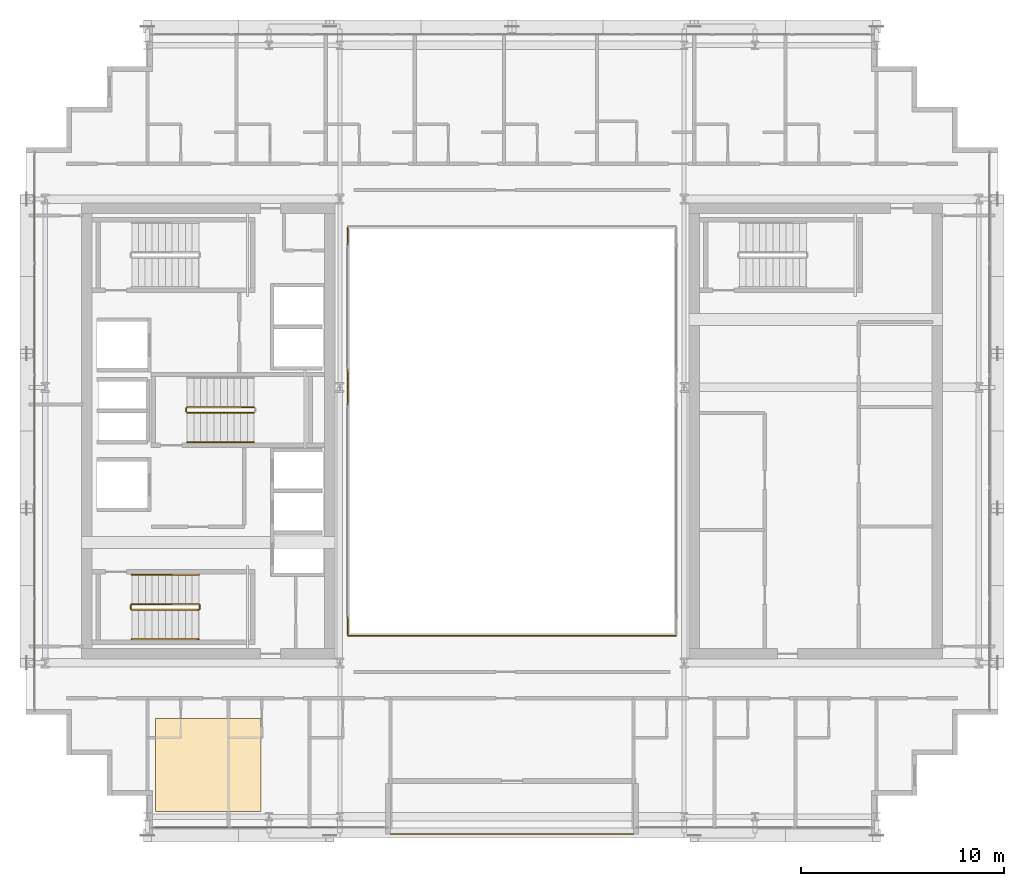
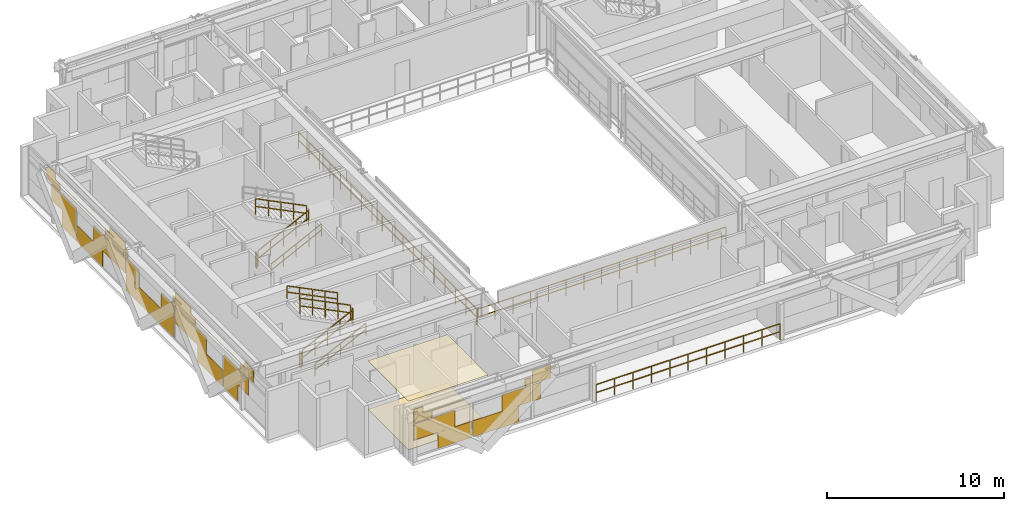
# One storey, part 35 of 38: 13 railings, 4 coverings.
"""IFC4 building model written with IfcOpenShell, lengths in metres."""

from ifc_helpers import new_model, si_unit, direction, frame, origin, origin_2d, place, context, subcontext, project, spatial, polyline, rectangle, outline, extrude, material, layer, layer_set, type_object, element, save


model = new_model("IFC4")

# Units and contexts
model_context = context("Model", 3, precision=1e-05, world=origin(), true_north=direction((0.0, 1.0)))
body_context = subcontext(model_context, "Body", "Model", "MODEL_VIEW")
ifc_project = project(units=[si_unit("LENGTHUNIT", "METRE"), si_unit("AREAUNIT", "SQUARE_METRE"), si_unit("VOLUMEUNIT", "CUBIC_METRE"), si_unit("PLANEANGLEUNIT", "RADIAN"), si_unit("MASSUNIT", "GRAM", prefix="KILO")], contexts=[model_context])

# Site, building, storey
site_placement = place(None, origin())
site = spatial("IfcSite", under=ifc_project, at=site_placement, CompositionType="ELEMENT")
building_placement = place(site_placement, origin())
building = spatial("IfcBuilding", under=site, at=building_placement, Name="Ocotamira Hotel", CompositionType="ELEMENT")
storey_placement = place(building_placement, frame((0.0, 0.0, 170.39990234375)))
storey = spatial("IfcBuildingStorey", under=building, at=storey_placement, Name="L42", CompositionType="ELEMENT", Elevation=170.39990234375)

# Coverings
ifc_material_1 = material(Name="Perforated acoustic gypsum ceiling board", Category="gypsum")
ifc_layer_1 = layer(ifc_material_1, 0.02490234375)
ifc_layer_set_1 = layer_set([ifc_layer_1], Name="Perforated acoustic gypsum ceiling board")
covering_type_1 = type_object("IfcCoveringType", Name="COV-CEIL-25", PredefinedType="CEILING", material=ifc_layer_set_1)
covering_1_placement = place(storey_placement, frame((0.0, 0.0, 3.34521484375)))
element("IfcCovering", 1, at=covering_1_placement, inside=storey, type_object=covering_type_1, Name="L42 Acoustic Ceiling", PredefinedType="CEILING", context=body_context, shape_type="SweptSolid", body=[
    extrude(outline(polyline([(14.39990234375, 7.199951171875), (19.60009765625, 7.199951171875), (19.60009765625, 11.800048828125), (14.39990234375, 11.800048828125), (14.39990234375, 7.199951171875)])), origin(), (0.0, 0.0, 1.0), 0.02490234375),
])
ifc_material_2 = material(Name="Honed desert travertine stone flooring", Category="masonry")
ifc_layer_2 = layer(ifc_material_2, 0.030029296875)
ifc_layer_set_2 = layer_set([ifc_layer_2], Name="Honed desert travertine stone flooring")
covering_type_2 = type_object("IfcCoveringType", Name="COV-FLOR-30", PredefinedType="FLOORING", material=ifc_layer_set_2)
covering_2_placement = place(storey_placement, origin())
element("IfcCovering", 2, at=covering_2_placement, inside=storey, type_object=covering_type_2, Name="L42 Honed Stone Floor Finish", PredefinedType="FLOORING", context=body_context, shape_type="SweptSolid", body=[
    extrude(outline(polyline([(14.39990234375, 7.199951171875), (19.60009765625, 7.199951171875), (19.60009765625, 11.800048828125), (14.39990234375, 11.800048828125), (14.39990234375, 7.199951171875)])), origin(), (0.0, 0.0, 1.0), 0.030029296875),
])
ifc_material_3 = material(Name="Insulated pale-metal aluminium spandrel panel", Category="aluminium")
ifc_layer_3 = layer(ifc_material_3, 0.044921875)
ifc_layer_set_3 = layer_set([ifc_layer_3], Name="Insulated pale-metal aluminium spandrel panel")
covering_type_3 = type_object("IfcCoveringType", Name="COV-INFILL-45", PredefinedType="CLADDING", material=ifc_layer_set_3)
covering_3_placement = place(storey_placement, origin())
element("IfcCovering", 3, at=covering_3_placement, inside=storey, type_object=covering_type_3, Name="L42 Curtain Wall Infill CW-4 CW-L42-S1", PredefinedType="CLADDING", context=body_context, shape_type="SweptSolid", body=[
    extrude(rectangle(XDim=2.68701171875, YDim=0.044921875, at=origin_2d()), frame((15.6240234375, 6.419921875, 1.1943359375), z_axis=(0.0, 0.0, 1.0), x_axis=(1.0, 0.0, 0.0)), (0.0, 0.0, 1.0), 1.117919921875),
    extrude(rectangle(XDim=2.19482421875, YDim=0.044921875, at=origin_2d()), frame((16.9453125, 6.419921875, 0.07568359375), z_axis=(0.0, 0.0, 1.0), x_axis=(1.0, 0.0, 0.0)), (0.0, 0.0, 1.0), 1.117919921875),
    extrude(rectangle(XDim=1.19482421875, YDim=0.044921875, at=origin_2d()), frame((14.8779296875, 6.419921875, 2.38818359375), z_axis=(0.0, 0.0, 1.0), x_axis=(1.0, 0.0, 0.0)), (0.0, 0.0, 1.0), 0.442626953125),
    extrude(rectangle(XDim=3.76220703125, YDim=0.044921875, at=origin_2d()), frame((16.16162109375, 6.419921875, 2.83154296875), z_axis=(0.0, 0.0, 1.0), x_axis=(1.0, 0.0, 0.0)), (0.0, 0.0, 1.0), 0.0302734375),
    extrude(rectangle(XDim=0.601318359375, YDim=0.044921875, at=origin_2d()), frame((14.581298828125, 6.419921875, 2.863037109375), z_axis=(0.0, 0.0, 1.0), x_axis=(1.0, 0.0, 0.0)), (0.0, 0.0, 1.0), 0.431640625),
    extrude(rectangle(XDim=3.028076171875, YDim=0.044921875, at=origin_2d()), frame((19.637939453125, 6.419921875, 0.07568359375), z_axis=(0.0, 0.0, 1.0), x_axis=(1.0, 0.0, 0.0)), (0.0, 0.0, 1.0), 1.117919921875),
    extrude(rectangle(XDim=1.893798828125, YDim=0.044921875, at=origin_2d()), frame((20.979248046875, 6.419921875, 1.1943359375), z_axis=(0.0, 0.0, 1.0), x_axis=(1.0, 0.0, 0.0)), (0.0, 0.0, 1.0), 1.117919921875),
    extrude(rectangle(XDim=0.401611328125, YDim=0.044921875, at=origin_2d()), frame((21.725341796875, 6.419921875, 2.38818359375), z_axis=(0.0, 0.0, 1.0), x_axis=(1.0, 0.0, 0.0)), (0.0, 0.0, 1.0), 0.473876953125),
    extrude(rectangle(XDim=0.543212890625, YDim=0.044921875, at=origin_2d()), frame((22.27880859375, 6.419921875, 1.1943359375), z_axis=(0.0, 0.0, 1.0), x_axis=(1.0, 0.0, 0.0)), (0.0, 0.0, 1.0), 1.117919921875),
    extrude(rectangle(XDim=1.19140625, YDim=0.044921875, at=origin_2d()), frame((22.602783203125, 6.419921875, 2.38818359375), z_axis=(0.0, 0.0, 1.0), x_axis=(1.0, 0.0, 0.0)), (0.0, 0.0, 1.0), 0.442626953125),
    extrude(rectangle(XDim=1.23046875, YDim=0.044921875, at=origin_2d()), frame((22.622314453125, 6.419921875, 2.83154296875), z_axis=(0.0, 0.0, 1.0), x_axis=(1.0, 0.0, 0.0)), (0.0, 0.0, 1.0), 0.462890625),
])
covering_4_placement = place(storey_placement, origin())
element("IfcCovering", 4, at=covering_4_placement, inside=storey, type_object=covering_type_3, Name="L42 Curtain Wall Infill CW-4 CW-L42-W", PredefinedType="CLADDING", context=body_context, shape_type="SweptSolid", body=[
    extrude(rectangle(XDim=2.782958984375, YDim=0.044921875, at=origin_2d()), frame((8.419921875, 16.2880859375, 1.1943359375), z_axis=(0.0, 0.0, 1.0), x_axis=(0.0, 1.0, 0.0)), (0.0, 0.0, 1.0), 1.117919921875),
    extrude(rectangle(XDim=1.596923828125, YDim=0.044921875, at=origin_2d()), frame((8.419921875, 16.881103515625, 0.07568359375), z_axis=(0.0, 0.0, 1.0), x_axis=(0.0, 1.0, 0.0)), (0.0, 0.0, 1.0), 1.117919921875),
    extrude(rectangle(XDim=3.38720703125, YDim=0.044921875, at=origin_2d()), frame((8.419921875, 15.98583984375, 2.848876953125), z_axis=(0.0, 0.0, 1.0), x_axis=(0.0, 1.0, 0.0)), (0.0, 0.0, 1.0), 0.033203125),
    extrude(rectangle(XDim=1.019287109375, YDim=0.044921875, at=origin_2d()), frame((8.419921875, 14.8017578125, 2.883056640625), z_axis=(0.0, 0.0, 1.0), x_axis=(0.0, 1.0, 0.0)), (0.0, 0.0, 1.0), 0.41162109375),
    extrude(rectangle(XDim=1.507568359375, YDim=0.044921875, at=origin_2d()), frame((8.419921875, 15.082275390625, 2.38818359375), z_axis=(0.0, 0.0, 1.0), x_axis=(0.0, 1.0, 0.0)), (0.0, 0.0, 1.0), 0.459716796875),
    extrude(rectangle(XDim=2.89013671875, YDim=0.044921875, at=origin_2d()), frame((8.419921875, 19.20556640625, 0.07568359375), z_axis=(0.0, 0.0, 1.0), x_axis=(0.0, 1.0, 0.0)), (0.0, 0.0, 1.0), 1.117919921875),
    extrude(rectangle(XDim=3.568115234375, YDim=0.044921875, at=origin_2d()), frame((8.419921875, 21.41552734375, 1.1943359375), z_axis=(0.0, 0.0, 1.0), x_axis=(0.0, 1.0, 0.0)), (0.0, 0.0, 1.0), 1.117919921875),
    extrude(rectangle(XDim=5.43896484375, YDim=0.044921875, at=origin_2d()), frame((8.419921875, 20.47998046875, 2.848876953125), z_axis=(0.0, 0.0, 1.0), x_axis=(0.0, 1.0, 0.0)), (0.0, 0.0, 1.0), 0.033203125),
    extrude(rectangle(XDim=2.302490234375, YDim=0.044921875, at=origin_2d()), frame((8.419921875, 22.04833984375, 2.38818359375), z_axis=(0.0, 0.0, 1.0), x_axis=(0.0, 1.0, 0.0)), (0.0, 0.0, 1.0), 0.459716796875),
    extrude(rectangle(XDim=1.777587890625, YDim=0.044921875, at=origin_2d()), frame((8.419921875, 22.310791015625, 2.883056640625), z_axis=(0.0, 0.0, 1.0), x_axis=(0.0, 1.0, 0.0)), (0.0, 0.0, 1.0), 0.41162109375),
    extrude(rectangle(XDim=5.43896484375, YDim=0.044921875, at=origin_2d()), frame((8.419921875, 26.0, 0.07568359375), z_axis=(0.0, 0.0, 1.0), x_axis=(0.0, 1.0, 0.0)), (0.0, 0.0, 1.0), 1.117919921875),
    extrude(rectangle(XDim=1.45458984375, YDim=0.044921875, at=origin_2d()), frame((8.419921875, 24.0078125, 1.1943359375), z_axis=(0.0, 0.0, 1.0), x_axis=(0.0, 1.0, 0.0)), (0.0, 0.0, 1.0), 1.117919921875),
    extrude(rectangle(XDim=1.45458984375, YDim=0.044921875, at=origin_2d()), frame((8.419921875, 27.9921875, 1.1943359375), z_axis=(0.0, 0.0, 1.0), x_axis=(0.0, 1.0, 0.0)), (0.0, 0.0, 1.0), 1.117919921875),
    extrude(rectangle(XDim=0.18896484375, YDim=0.044921875, at=origin_2d()), frame((8.419921875, 23.375, 2.38818359375), z_axis=(0.0, 0.0, 1.0), x_axis=(0.0, 1.0, 0.0)), (0.0, 0.0, 1.0), 0.493896484375),
    extrude(rectangle(XDim=0.18896484375, YDim=0.044921875, at=origin_2d()), frame((8.419921875, 28.625, 2.38818359375), z_axis=(0.0, 0.0, 1.0), x_axis=(0.0, 1.0, 0.0)), (0.0, 0.0, 1.0), 0.493896484375),
    extrude(rectangle(XDim=3.568115234375, YDim=0.044921875, at=origin_2d()), frame((8.419921875, 30.58447265625, 1.1943359375), z_axis=(0.0, 0.0, 1.0), x_axis=(0.0, 1.0, 0.0)), (0.0, 0.0, 1.0), 1.117919921875),
    extrude(rectangle(XDim=2.89013671875, YDim=0.044921875, at=origin_2d()), frame((8.419921875, 32.79443359375, 0.07568359375), z_axis=(0.0, 0.0, 1.0), x_axis=(0.0, 1.0, 0.0)), (0.0, 0.0, 1.0), 1.117919921875),
    extrude(rectangle(XDim=2.302490234375, YDim=0.044921875, at=origin_2d()), frame((8.419921875, 29.95166015625, 2.38818359375), z_axis=(0.0, 0.0, 1.0), x_axis=(0.0, 1.0, 0.0)), (0.0, 0.0, 1.0), 0.459716796875),
    extrude(rectangle(XDim=5.43896484375, YDim=0.044921875, at=origin_2d()), frame((8.419921875, 31.52001953125, 2.848876953125), z_axis=(0.0, 0.0, 1.0), x_axis=(0.0, 1.0, 0.0)), (0.0, 0.0, 1.0), 0.033203125),
    extrude(rectangle(XDim=1.777587890625, YDim=0.044921875, at=origin_2d()), frame((8.419921875, 29.689208984375, 2.883056640625), z_axis=(0.0, 0.0, 1.0), x_axis=(0.0, 1.0, 0.0)), (0.0, 0.0, 1.0), 0.41162109375),
    extrude(rectangle(XDim=1.596923828125, YDim=0.044921875, at=origin_2d()), frame((8.419921875, 35.118896484375, 0.07568359375), z_axis=(0.0, 0.0, 1.0), x_axis=(0.0, 1.0, 0.0)), (0.0, 0.0, 1.0), 1.117919921875),
    extrude(rectangle(XDim=2.782958984375, YDim=0.044921875, at=origin_2d()), frame((8.419921875, 35.7119140625, 1.1943359375), z_axis=(0.0, 0.0, 1.0), x_axis=(0.0, 1.0, 0.0)), (0.0, 0.0, 1.0), 1.117919921875),
    extrude(rectangle(XDim=3.38720703125, YDim=0.044921875, at=origin_2d()), frame((8.419921875, 36.01416015625, 2.848876953125), z_axis=(0.0, 0.0, 1.0), x_axis=(0.0, 1.0, 0.0)), (0.0, 0.0, 1.0), 0.033203125),
    extrude(rectangle(XDim=1.507568359375, YDim=0.044921875, at=origin_2d()), frame((8.419921875, 36.917724609375, 2.38818359375), z_axis=(0.0, 0.0, 1.0), x_axis=(0.0, 1.0, 0.0)), (0.0, 0.0, 1.0), 0.459716796875),
    extrude(rectangle(XDim=1.019287109375, YDim=0.044921875, at=origin_2d()), frame((8.419921875, 37.1982421875, 2.883056640625), z_axis=(0.0, 0.0, 1.0), x_axis=(0.0, 1.0, 0.0)), (0.0, 0.0, 1.0), 0.41162109375),
])

# Railings
ifc_material_4 = material(Name="Laminated glass and pale-metal balustrade", Category="glass")
railing_type_1 = type_object("IfcRailingType", Name="RL-BAL-1150", PredefinedType="BALUSTRADE", material=ifc_material_4)
railing_1_placement = place(storey_placement, frame((26.0, 6.10009765625, 0.0)))
element("IfcRailing", 5, at=railing_1_placement, inside=storey, type_object=railing_type_1, Name="L42 Sky Terrace Balustrade 1", PredefinedType="BALUSTRADE", context=body_context, shape_type="SweptSolid", body=[
    extrude(rectangle(XDim=0.048095703125, YDim=0.048095703125, at=origin_2d()), frame((0.0, 0.0, 1.1259765625), z_axis=(1.0, 0.0, 0.0), x_axis=(0.0, 1.0, 0.0)), (0.0, 0.0, 1.0), 12.0),
    extrude(rectangle(XDim=0.048095703125, YDim=0.048095703125, at=origin_2d()), frame((0.0, 0.0, 0.574951171875), z_axis=(1.0, 0.0, 0.0), x_axis=(0.0, 1.0, 0.0)), (0.0, 0.0, 1.0), 12.0),
    extrude(rectangle(XDim=0.0419921875, YDim=0.0419921875, at=origin_2d()), origin(), (0.0, 0.0, 1.0), 1.101806640625),
    extrude(rectangle(XDim=0.0419921875, YDim=0.0419921875, at=origin_2d()), frame((1.199951171875, 0.0, 0.0)), (0.0, 0.0, 1.0), 1.101806640625),
    extrude(rectangle(XDim=0.0419921875, YDim=0.0419921875, at=origin_2d()), frame((2.39990234375, 0.0, 0.0)), (0.0, 0.0, 1.0), 1.101806640625),
    extrude(rectangle(XDim=0.0419921875, YDim=0.0419921875, at=origin_2d()), frame((3.60009765625, 0.0, 0.0)), (0.0, 0.0, 1.0), 1.101806640625),
    extrude(rectangle(XDim=0.0419921875, YDim=0.0419921875, at=origin_2d()), frame((4.800048828125, 0.0, 0.0)), (0.0, 0.0, 1.0), 1.101806640625),
    extrude(rectangle(XDim=0.0419921875, YDim=0.0419921875, at=origin_2d()), frame((6.0, 0.0, 0.0)), (0.0, 0.0, 1.0), 1.101806640625),
    extrude(rectangle(XDim=0.0419921875, YDim=0.0419921875, at=origin_2d()), frame((7.199951171875, 0.0, 0.0)), (0.0, 0.0, 1.0), 1.101806640625),
    extrude(rectangle(XDim=0.0419921875, YDim=0.0419921875, at=origin_2d()), frame((8.39990234375, 0.0, 0.0)), (0.0, 0.0, 1.0), 1.101806640625),
    extrude(rectangle(XDim=0.0419921875, YDim=0.0419921875, at=origin_2d()), frame((9.60009765625, 0.0, 0.0)), (0.0, 0.0, 1.0), 1.101806640625),
    extrude(rectangle(XDim=0.0419921875, YDim=0.0419921875, at=origin_2d()), frame((10.800048828125, 0.0, 0.0)), (0.0, 0.0, 1.0), 1.101806640625),
    extrude(rectangle(XDim=0.0419921875, YDim=0.0419921875, at=origin_2d()), frame((12.0, 0.0, 0.0)), (0.0, 0.0, 1.0), 1.101806640625),
])
ifc_material_5 = material(Name="Painted steel stair guardrail", Category="steel")
railing_type_2 = type_object("IfcRailingType", Name="RL-EDGE-1150", PredefinedType="GUARDRAIL", material=ifc_material_5)
railing_2_placement = place(storey_placement, frame((23.89990234375, 15.8798828125, 0.0)))
element("IfcRailing", 6, at=railing_2_placement, inside=storey, type_object=railing_type_2, Name="L42 Central Atrium Edge Guardrail S", PredefinedType="GUARDRAIL", context=body_context, shape_type="SweptSolid", body=[
    extrude(rectangle(XDim=0.048095703125, YDim=0.048095703125, at=origin_2d()), frame((0.0, 0.0, 1.1259765625), z_axis=(1.0, 0.0, 0.0), x_axis=(0.0, 1.0, 0.0)), (0.0, 0.0, 1.0), 16.2001953125),
    extrude(rectangle(XDim=0.048095703125, YDim=0.048095703125, at=origin_2d()), frame((0.0, 0.0, 0.574951171875), z_axis=(1.0, 0.0, 0.0), x_axis=(0.0, 1.0, 0.0)), (0.0, 0.0, 1.0), 16.2001953125),
    extrude(rectangle(XDim=0.0419921875, YDim=0.0419921875, at=origin_2d()), origin(), (0.0, 0.0, 1.0), 1.101806640625),
    extrude(rectangle(XDim=0.0419921875, YDim=0.0419921875, at=origin_2d()), frame((1.1572265625, 0.0, 0.0)), (0.0, 0.0, 1.0), 1.101806640625),
    extrude(rectangle(XDim=0.0419921875, YDim=0.0419921875, at=origin_2d()), frame((2.314208984375, 0.0, 0.0)), (0.0, 0.0, 1.0), 1.101806640625),
    extrude(rectangle(XDim=0.0419921875, YDim=0.0419921875, at=origin_2d()), frame((3.471435546875, 0.0, 0.0)), (0.0, 0.0, 1.0), 1.101806640625),
    extrude(rectangle(XDim=0.0419921875, YDim=0.0419921875, at=origin_2d()), frame((4.628662109375, 0.0, 0.0)), (0.0, 0.0, 1.0), 1.101806640625),
    extrude(rectangle(XDim=0.0419921875, YDim=0.0419921875, at=origin_2d()), frame((5.785888671875, 0.0, 0.0)), (0.0, 0.0, 1.0), 1.101806640625),
    extrude(rectangle(XDim=0.0419921875, YDim=0.0419921875, at=origin_2d()), frame((6.94287109375, 0.0, 0.0)), (0.0, 0.0, 1.0), 1.101806640625),
    extrude(rectangle(XDim=0.0419921875, YDim=0.0419921875, at=origin_2d()), frame((8.10009765625, 0.0, 0.0)), (0.0, 0.0, 1.0), 1.101806640625),
    extrude(rectangle(XDim=0.0419921875, YDim=0.0419921875, at=origin_2d()), frame((9.25732421875, 0.0, 0.0)), (0.0, 0.0, 1.0), 1.101806640625),
    extrude(rectangle(XDim=0.0419921875, YDim=0.0419921875, at=origin_2d()), frame((10.414306640625, 0.0, 0.0)), (0.0, 0.0, 1.0), 1.101806640625),
    extrude(rectangle(XDim=0.0419921875, YDim=0.0419921875, at=origin_2d()), frame((11.571533203125, 0.0, 0.0)), (0.0, 0.0, 1.0), 1.101806640625),
    extrude(rectangle(XDim=0.0419921875, YDim=0.0419921875, at=origin_2d()), frame((12.728759765625, 0.0, 0.0)), (0.0, 0.0, 1.0), 1.101806640625),
    extrude(rectangle(XDim=0.0419921875, YDim=0.0419921875, at=origin_2d()), frame((13.885986328125, 0.0, 0.0)), (0.0, 0.0, 1.0), 1.101806640625),
    extrude(rectangle(XDim=0.0419921875, YDim=0.0419921875, at=origin_2d()), frame((15.04296875, 0.0, 0.0)), (0.0, 0.0, 1.0), 1.101806640625),
    extrude(rectangle(XDim=0.0419921875, YDim=0.0419921875, at=origin_2d()), frame((16.2001953125, 0.0, 0.0)), (0.0, 0.0, 1.0), 1.101806640625),
])
railing_3_placement = place(storey_placement, frame((23.8798828125, 36.0400390625, 0.0)))
element("IfcRailing", 7, at=railing_3_placement, inside=storey, type_object=railing_type_2, Name="L42 Central Atrium Edge Guardrail W", PredefinedType="GUARDRAIL", context=body_context, shape_type="SweptSolid", body=[
    extrude(rectangle(XDim=0.048095703125, YDim=0.048095703125, at=origin_2d()), frame((0.0, 0.0, 1.1259765625), z_axis=(0.0, -1.0, 0.0), x_axis=(1.0, 0.0, 0.0)), (0.0, 0.0, 1.0), 20.080078125),
    extrude(rectangle(XDim=0.048095703125, YDim=0.048095703125, at=origin_2d()), frame((0.0, 0.0, 0.574951171875), z_axis=(0.0, -1.0, 0.0), x_axis=(1.0, 0.0, 0.0)), (0.0, 0.0, 1.0), 20.080078125),
    extrude(rectangle(XDim=0.0419921875, YDim=0.0419921875, at=origin_2d()), origin(), (0.0, 0.0, 1.0), 1.101806640625),
    extrude(rectangle(XDim=0.0419921875, YDim=0.0419921875, at=origin_2d()), frame((0.0, -1.18115234375, 0.0)), (0.0, 0.0, 1.0), 1.101806640625),
    extrude(rectangle(XDim=0.0419921875, YDim=0.0419921875, at=origin_2d()), frame((0.0, -2.3623046875, 0.0)), (0.0, 0.0, 1.0), 1.101806640625),
    extrude(rectangle(XDim=0.0419921875, YDim=0.0419921875, at=origin_2d()), frame((0.0, -3.54345703125, 0.0)), (0.0, 0.0, 1.0), 1.101806640625),
    extrude(rectangle(XDim=0.0419921875, YDim=0.0419921875, at=origin_2d()), frame((0.0, -4.724609375, 0.0)), (0.0, 0.0, 1.0), 1.101806640625),
    extrude(rectangle(XDim=0.0419921875, YDim=0.0419921875, at=origin_2d()), frame((0.0, -5.906005859375, 0.0)), (0.0, 0.0, 1.0), 1.101806640625),
    extrude(rectangle(XDim=0.0419921875, YDim=0.0419921875, at=origin_2d()), frame((0.0, -7.087158203125, 0.0)), (0.0, 0.0, 1.0), 1.101806640625),
    extrude(rectangle(XDim=0.0419921875, YDim=0.0419921875, at=origin_2d()), frame((0.0, -8.268310546875, 0.0)), (0.0, 0.0, 1.0), 1.101806640625),
    extrude(rectangle(XDim=0.0419921875, YDim=0.0419921875, at=origin_2d()), frame((0.0, -9.449462890625, 0.0)), (0.0, 0.0, 1.0), 1.101806640625),
    extrude(rectangle(XDim=0.0419921875, YDim=0.0419921875, at=origin_2d()), frame((0.0, -10.630615234375, 0.0)), (0.0, 0.0, 1.0), 1.101806640625),
    extrude(rectangle(XDim=0.0419921875, YDim=0.0419921875, at=origin_2d()), frame((0.0, -11.811767578125, 0.0)), (0.0, 0.0, 1.0), 1.101806640625),
    extrude(rectangle(XDim=0.0419921875, YDim=0.0419921875, at=origin_2d()), frame((0.0, -12.992919921875, 0.0)), (0.0, 0.0, 1.0), 1.101806640625),
    extrude(rectangle(XDim=0.0419921875, YDim=0.0419921875, at=origin_2d()), frame((0.0, -14.174072265625, 0.0)), (0.0, 0.0, 1.0), 1.101806640625),
    extrude(rectangle(XDim=0.0419921875, YDim=0.0419921875, at=origin_2d()), frame((0.0, -15.35546875, 0.0)), (0.0, 0.0, 1.0), 1.101806640625),
    extrude(rectangle(XDim=0.0419921875, YDim=0.0419921875, at=origin_2d()), frame((0.0, -16.53662109375, 0.0)), (0.0, 0.0, 1.0), 1.101806640625),
    extrude(rectangle(XDim=0.0419921875, YDim=0.0419921875, at=origin_2d()), frame((0.0, -17.7177734375, 0.0)), (0.0, 0.0, 1.0), 1.101806640625),
    extrude(rectangle(XDim=0.0419921875, YDim=0.0419921875, at=origin_2d()), frame((0.0, -18.89892578125, 0.0)), (0.0, 0.0, 1.0), 1.101806640625),
    extrude(rectangle(XDim=0.0419921875, YDim=0.0419921875, at=origin_2d()), frame((0.0, -20.080078125, 0.0)), (0.0, 0.0, 1.0), 1.101806640625),
])
ifc_material_6 = material(Name="Brushed stainless steel handrail", Category="steel")
railing_type_3 = type_object("IfcRailingType", Name="RL-HAND-900", PredefinedType="HANDRAIL", material=ifc_material_6)
railing_4_placement = place(storey_placement, frame((13.22998046875, 15.719970703125, 0.327392578125)))
element("IfcRailing", 8, at=railing_4_placement, inside=storey, type_object=railing_type_3, Name="L42 ST-1 stair handrail 1", PredefinedType="HANDRAIL", context=body_context, shape_type="SweptSolid", body=[
    extrude(rectangle(XDim=0.048095703125, YDim=0.048095703125, at=origin_2d()), frame((0.0, 0.0, 0.8759765625), z_axis=(0.895920123917, 0.0, 0.444215186098), x_axis=(0.0, 1.0, 0.0)), (0.0, 0.0, 1.0), 3.683349609375),
    extrude(rectangle(XDim=0.048095703125, YDim=0.048095703125, at=origin_2d()), frame((0.0, 0.0, 0.449951171875), z_axis=(0.895920123917, 0.0, 0.444215186098), x_axis=(0.0, 1.0, 0.0)), (0.0, 0.0, 1.0), 3.683349609375),
    extrude(rectangle(XDim=0.0419921875, YDim=0.0419921875, at=origin_2d()), origin(), (0.0, 0.0, 1.0), 0.851806640625),
    extrude(rectangle(XDim=0.0419921875, YDim=0.0419921875, at=origin_2d()), frame((0.824951171875, 0.0, 0.4091796875)), (0.0, 0.0, 1.0), 0.851806640625),
    extrude(rectangle(XDim=0.0419921875, YDim=0.0419921875, at=origin_2d()), frame((1.64990234375, 0.0, 0.818115234375)), (0.0, 0.0, 1.0), 0.851806640625),
    extrude(rectangle(XDim=0.0419921875, YDim=0.0419921875, at=origin_2d()), frame((2.47509765625, 0.0, 1.22705078125)), (0.0, 0.0, 1.0), 0.851806640625),
    extrude(rectangle(XDim=0.0419921875, YDim=0.0419921875, at=origin_2d()), frame((3.300048828125, 0.0, 1.63623046875)), (0.0, 0.0, 1.0), 0.851806640625),
])
railing_5_placement = place(storey_placement, frame((16.530029296875, 18.89990234375, 2.12744140625)))
element("IfcRailing", 9, at=railing_5_placement, inside=storey, type_object=railing_type_3, Name="L42 ST-1 stair handrail 2", PredefinedType="HANDRAIL", context=body_context, shape_type="SweptSolid", body=[
    extrude(rectangle(XDim=0.048095703125, YDim=0.048095703125, at=origin_2d()), frame((0.0, 0.0, 0.8759765625), z_axis=(-0.895920123917, 0.0, 0.444215186098), x_axis=(0.0, -1.0, 0.0)), (0.0, 0.0, 1.0), 3.683349609375),
    extrude(rectangle(XDim=0.048095703125, YDim=0.048095703125, at=origin_2d()), frame((0.0, 0.0, 0.449951171875), z_axis=(-0.895920123917, 0.0, 0.444215186098), x_axis=(0.0, -1.0, 0.0)), (0.0, 0.0, 1.0), 3.683349609375),
    extrude(rectangle(XDim=0.0419921875, YDim=0.0419921875, at=origin_2d()), origin(), (0.0, 0.0, 1.0), 0.851806640625),
    extrude(rectangle(XDim=0.0419921875, YDim=0.0419921875, at=origin_2d()), frame((-0.824951171875, 0.0, 0.4091796875)), (0.0, 0.0, 1.0), 0.851806640625),
    extrude(rectangle(XDim=0.0419921875, YDim=0.0419921875, at=origin_2d()), frame((-1.64990234375, 0.0, 0.818115234375)), (0.0, 0.0, 1.0), 0.851806640625),
    extrude(rectangle(XDim=0.0419921875, YDim=0.0419921875, at=origin_2d()), frame((-2.47509765625, 0.0, 1.22705078125)), (0.0, 0.0, 1.0), 0.851806640625),
    extrude(rectangle(XDim=0.0419921875, YDim=0.0419921875, at=origin_2d()), frame((-3.300048828125, 0.0, 1.63623046875)), (0.0, 0.0, 1.0), 0.851806640625),
])
railing_6_placement = place(storey_placement, frame((15.9599609375, 25.449951171875, 0.327392578125)))
element("IfcRailing", 10, at=railing_6_placement, inside=storey, type_object=railing_type_3, Name="L42 ST-3 stair handrail 1", PredefinedType="HANDRAIL", context=body_context, shape_type="SweptSolid", body=[
    extrude(rectangle(XDim=0.048095703125, YDim=0.048095703125, at=origin_2d()), frame((0.0, 0.0, 0.8759765625), z_axis=(0.895920123917, 0.0, 0.444215186098), x_axis=(0.0, 1.0, 0.0)), (0.0, 0.0, 1.0), 3.683349609375),
    extrude(rectangle(XDim=0.048095703125, YDim=0.048095703125, at=origin_2d()), frame((0.0, 0.0, 0.449951171875), z_axis=(0.895920123917, 0.0, 0.444215186098), x_axis=(0.0, 1.0, 0.0)), (0.0, 0.0, 1.0), 3.683349609375),
    extrude(rectangle(XDim=0.0419921875, YDim=0.0419921875, at=origin_2d()), origin(), (0.0, 0.0, 1.0), 0.851806640625),
    extrude(rectangle(XDim=0.0419921875, YDim=0.0419921875, at=origin_2d()), frame((0.824951171875, 0.0, 0.4091796875)), (0.0, 0.0, 1.0), 0.851806640625),
    extrude(rectangle(XDim=0.0419921875, YDim=0.0419921875, at=origin_2d()), frame((1.64990234375, 0.0, 0.818115234375)), (0.0, 0.0, 1.0), 0.851806640625),
    extrude(rectangle(XDim=0.0419921875, YDim=0.0419921875, at=origin_2d()), frame((2.47509765625, 0.0, 1.22705078125)), (0.0, 0.0, 1.0), 0.851806640625),
    extrude(rectangle(XDim=0.0419921875, YDim=0.0419921875, at=origin_2d()), frame((3.300048828125, 0.0, 1.63623046875)), (0.0, 0.0, 1.0), 0.851806640625),
])
railing_type_4 = type_object("IfcRailingType", Name="RL-STAIR-1100", PredefinedType="GUARDRAIL", material=ifc_material_5)
railing_7_placement = place(storey_placement, frame((13.22998046875, 17.179931640625, 0.163818359375)))
element("IfcRailing", 11, at=railing_7_placement, inside=storey, type_object=railing_type_4, Name="L42 ST-1 stair guard 1", PredefinedType="GUARDRAIL", context=body_context, shape_type="SweptSolid", body=[
    extrude(rectangle(XDim=0.048095703125, YDim=0.048095703125, at=origin_2d()), frame((0.0, 0.0, 1.076171875), z_axis=(0.895920123917, 0.0, 0.444215186098), x_axis=(0.0, 1.0, 0.0)), (0.0, 0.0, 1.0), 3.683349609375),
    extrude(rectangle(XDim=0.048095703125, YDim=0.048095703125, at=origin_2d()), frame((0.0, 0.0, 0.550048828125), z_axis=(0.895920123917, 0.0, 0.444215186098), x_axis=(0.0, 1.0, 0.0)), (0.0, 0.0, 1.0), 3.683349609375),
    extrude(rectangle(XDim=0.0419921875, YDim=0.0419921875, at=origin_2d()), origin(), (0.0, 0.0, 1.0), 1.052001953125),
    extrude(rectangle(XDim=0.0419921875, YDim=0.0419921875, at=origin_2d()), frame((0.824951171875, 0.0, 0.4091796875)), (0.0, 0.0, 1.0), 1.052001953125),
    extrude(rectangle(XDim=0.0419921875, YDim=0.0419921875, at=origin_2d()), frame((1.64990234375, 0.0, 0.818115234375)), (0.0, 0.0, 1.0), 1.052001953125),
    extrude(rectangle(XDim=0.0419921875, YDim=0.0419921875, at=origin_2d()), frame((2.47509765625, 0.0, 1.22705078125)), (0.0, 0.0, 1.0), 1.052001953125),
    extrude(rectangle(XDim=0.0419921875, YDim=0.0419921875, at=origin_2d()), frame((3.300048828125, 0.0, 1.63623046875)), (0.0, 0.0, 1.0), 1.052001953125),
])
railing_8_placement = place(storey_placement, frame((16.580078125, 17.22998046875, 1.800048828125)))
element("IfcRailing", 12, at=railing_8_placement, inside=storey, type_object=railing_type_4, Name="L42 ST-1 stair guard 2", PredefinedType="GUARDRAIL", context=body_context, shape_type="SweptSolid", body=[
    extrude(rectangle(XDim=0.048095703125, YDim=0.048095703125, at=origin_2d()), frame((0.0, 0.0, 1.076171875), z_axis=(0.0, 1.0, 0.0), x_axis=(-1.0, 0.0, 0.0)), (0.0, 0.0, 1.0), 0.159912109375),
    extrude(rectangle(XDim=0.048095703125, YDim=0.048095703125, at=origin_2d()), frame((0.0, 0.0, 0.550048828125), z_axis=(0.0, 1.0, 0.0), x_axis=(-1.0, 0.0, 0.0)), (0.0, 0.0, 1.0), 0.159912109375),
    extrude(rectangle(XDim=0.0419921875, YDim=0.0419921875, at=origin_2d()), origin(), (0.0, 0.0, 1.0), 1.052001953125),
    extrude(rectangle(XDim=0.0419921875, YDim=0.0419921875, at=origin_2d()), frame((0.0, 0.159912109375, 0.0)), (0.0, 0.0, 1.0), 1.052001953125),
])
railing_9_placement = place(storey_placement, frame((16.530029296875, 17.43994140625, 1.963623046875)))
element("IfcRailing", 13, at=railing_9_placement, inside=storey, type_object=railing_type_4, Name="L42 ST-1 stair guard 3", PredefinedType="GUARDRAIL", context=body_context, shape_type="SweptSolid", body=[
    extrude(rectangle(XDim=0.048095703125, YDim=0.048095703125, at=origin_2d()), frame((0.0, 0.0, 1.076171875), z_axis=(-0.895893744519, 0.0, 0.4442683857), x_axis=(0.0, -1.0, 0.0)), (0.0, 0.0, 1.0), 3.68359375),
    extrude(rectangle(XDim=0.048095703125, YDim=0.048095703125, at=origin_2d()), frame((0.0, 0.0, 0.550048828125), z_axis=(-0.895893744519, 0.0, 0.4442683857), x_axis=(0.0, -1.0, 0.0)), (0.0, 0.0, 1.0), 3.68359375),
    extrude(rectangle(XDim=0.0419921875, YDim=0.0419921875, at=origin_2d()), origin(), (0.0, 0.0, 1.0), 1.052001953125),
    extrude(rectangle(XDim=0.0419921875, YDim=0.0419921875, at=origin_2d()), frame((-0.824951171875, 0.0, 0.4091796875)), (0.0, 0.0, 1.0), 1.052001953125),
    extrude(rectangle(XDim=0.0419921875, YDim=0.0419921875, at=origin_2d()), frame((-1.64990234375, 0.0, 0.818359375)), (0.0, 0.0, 1.0), 1.052001953125),
    extrude(rectangle(XDim=0.0419921875, YDim=0.0419921875, at=origin_2d()), frame((-2.47509765625, 0.0, 1.227294921875)), (0.0, 0.0, 1.0), 1.052001953125),
    extrude(rectangle(XDim=0.0419921875, YDim=0.0419921875, at=origin_2d()), frame((-3.300048828125, 0.0, 1.636474609375)), (0.0, 0.0, 1.0), 1.052001953125),
])
railing_10_placement = place(storey_placement, frame((13.179931640625, 17.22998046875, 0.0)))
element("IfcRailing", 14, at=railing_10_placement, inside=storey, type_object=railing_type_4, Name="L42 ST-1 stair guard 4", PredefinedType="GUARDRAIL", context=body_context, shape_type="SweptSolid", body=[
    extrude(rectangle(XDim=0.048095703125, YDim=0.048095703125, at=origin_2d()), frame((0.0, 0.0, 1.076171875), z_axis=(0.0, 1.0, 0.0), x_axis=(-1.0, 0.0, 0.0)), (0.0, 0.0, 1.0), 0.159912109375),
    extrude(rectangle(XDim=0.048095703125, YDim=0.048095703125, at=origin_2d()), frame((0.0, 0.0, 0.550048828125), z_axis=(0.0, 1.0, 0.0), x_axis=(-1.0, 0.0, 0.0)), (0.0, 0.0, 1.0), 0.159912109375),
    extrude(rectangle(XDim=0.0419921875, YDim=0.0419921875, at=origin_2d()), origin(), (0.0, 0.0, 1.0), 1.052001953125),
    extrude(rectangle(XDim=0.0419921875, YDim=0.0419921875, at=origin_2d()), frame((0.0, 0.159912109375, 0.0)), (0.0, 0.0, 1.0), 1.052001953125),
])
railing_11_placement = place(storey_placement, frame((15.9599609375, 26.909912109375, 0.163818359375)))
element("IfcRailing", 15, at=railing_11_placement, inside=storey, type_object=railing_type_4, Name="L42 ST-3 stair guard 1", PredefinedType="GUARDRAIL", context=body_context, shape_type="SweptSolid", body=[
    extrude(rectangle(XDim=0.048095703125, YDim=0.048095703125, at=origin_2d()), frame((0.0, 0.0, 1.076171875), z_axis=(0.895920123917, 0.0, 0.444215186098), x_axis=(0.0, 1.0, 0.0)), (0.0, 0.0, 1.0), 3.683349609375),
    extrude(rectangle(XDim=0.048095703125, YDim=0.048095703125, at=origin_2d()), frame((0.0, 0.0, 0.550048828125), z_axis=(0.895920123917, 0.0, 0.444215186098), x_axis=(0.0, 1.0, 0.0)), (0.0, 0.0, 1.0), 3.683349609375),
    extrude(rectangle(XDim=0.0419921875, YDim=0.0419921875, at=origin_2d()), origin(), (0.0, 0.0, 1.0), 1.052001953125),
    extrude(rectangle(XDim=0.0419921875, YDim=0.0419921875, at=origin_2d()), frame((0.824951171875, 0.0, 0.4091796875)), (0.0, 0.0, 1.0), 1.052001953125),
    extrude(rectangle(XDim=0.0419921875, YDim=0.0419921875, at=origin_2d()), frame((1.64990234375, 0.0, 0.818115234375)), (0.0, 0.0, 1.0), 1.052001953125),
    extrude(rectangle(XDim=0.0419921875, YDim=0.0419921875, at=origin_2d()), frame((2.47509765625, 0.0, 1.22705078125)), (0.0, 0.0, 1.0), 1.052001953125),
    extrude(rectangle(XDim=0.0419921875, YDim=0.0419921875, at=origin_2d()), frame((3.300048828125, 0.0, 1.63623046875)), (0.0, 0.0, 1.0), 1.052001953125),
])
railing_12_placement = place(storey_placement, frame((19.260009765625, 27.169921875, 1.963623046875)))
element("IfcRailing", 16, at=railing_12_placement, inside=storey, type_object=railing_type_4, Name="L42 ST-3 stair guard 3", PredefinedType="GUARDRAIL", context=body_context, shape_type="SweptSolid", body=[
    extrude(rectangle(XDim=0.048095703125, YDim=0.048095703125, at=origin_2d()), frame((0.0, 0.0, 1.076171875), z_axis=(-0.895893744519, 0.0, 0.4442683857), x_axis=(0.0, -1.0, 0.0)), (0.0, 0.0, 1.0), 3.68359375),
    extrude(rectangle(XDim=0.048095703125, YDim=0.048095703125, at=origin_2d()), frame((0.0, 0.0, 0.550048828125), z_axis=(-0.895893744519, 0.0, 0.4442683857), x_axis=(0.0, -1.0, 0.0)), (0.0, 0.0, 1.0), 3.68359375),
    extrude(rectangle(XDim=0.0419921875, YDim=0.0419921875, at=origin_2d()), origin(), (0.0, 0.0, 1.0), 1.052001953125),
    extrude(rectangle(XDim=0.0419921875, YDim=0.0419921875, at=origin_2d()), frame((-0.824951171875, 0.0, 0.4091796875)), (0.0, 0.0, 1.0), 1.052001953125),
    extrude(rectangle(XDim=0.0419921875, YDim=0.0419921875, at=origin_2d()), frame((-1.64990234375, 0.0, 0.818359375)), (0.0, 0.0, 1.0), 1.052001953125),
    extrude(rectangle(XDim=0.0419921875, YDim=0.0419921875, at=origin_2d()), frame((-2.47509765625, 0.0, 1.227294921875)), (0.0, 0.0, 1.0), 1.052001953125),
    extrude(rectangle(XDim=0.0419921875, YDim=0.0419921875, at=origin_2d()), frame((-3.300048828125, 0.0, 1.636474609375)), (0.0, 0.0, 1.0), 1.052001953125),
])
railing_13_placement = place(storey_placement, frame((15.909912109375, 26.9599609375, 0.0)))
element("IfcRailing", 17, at=railing_13_placement, inside=storey, type_object=railing_type_4, Name="L42 ST-3 stair guard 4", PredefinedType="GUARDRAIL", context=body_context, shape_type="SweptSolid", body=[
    extrude(rectangle(XDim=0.048095703125, YDim=0.048095703125, at=origin_2d()), frame((0.0, 0.0, 1.076171875), z_axis=(0.0, 1.0, 0.0), x_axis=(-1.0, 0.0, 0.0)), (0.0, 0.0, 1.0), 0.16015625),
    extrude(rectangle(XDim=0.048095703125, YDim=0.048095703125, at=origin_2d()), frame((0.0, 0.0, 0.550048828125), z_axis=(0.0, 1.0, 0.0), x_axis=(-1.0, 0.0, 0.0)), (0.0, 0.0, 1.0), 0.16015625),
    extrude(rectangle(XDim=0.0419921875, YDim=0.0419921875, at=origin_2d()), origin(), (0.0, 0.0, 1.0), 1.052001953125),
    extrude(rectangle(XDim=0.0419921875, YDim=0.0419921875, at=origin_2d()), frame((0.0, 0.16015625, 0.0)), (0.0, 0.0, 1.0), 1.052001953125),
])

save(model, "model.ifc")
